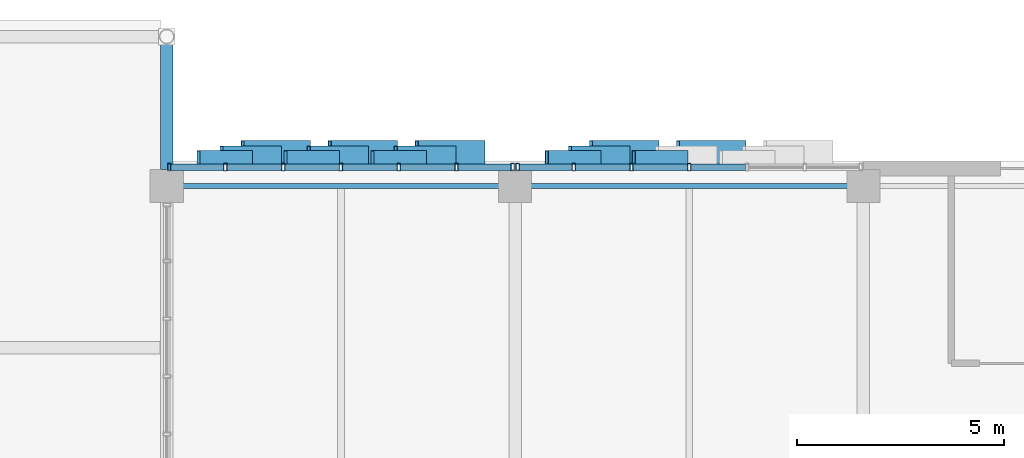
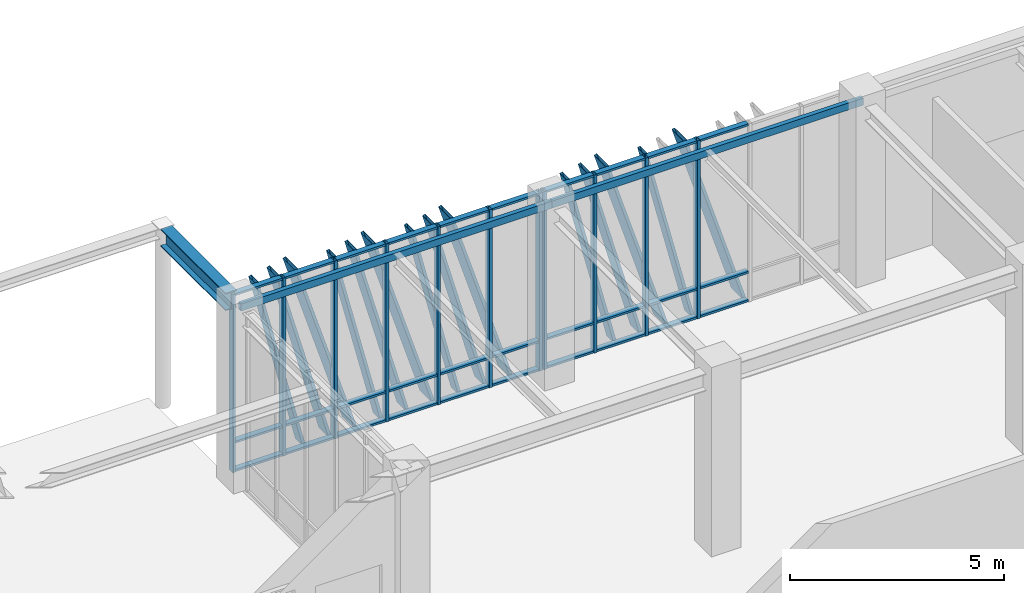
# One storey, part 49 of 122: 55 members, 3 beams, 2 elements without a shape of their own.
"""IFC4 building model written with IfcOpenShell, lengths in metres."""

import ifcopenshell
import ifcopenshell.guid

model = None  # the IFC model being written
_history = None  # IfcOwnerHistory: only IFC2X3 demands one
_inside = {}  # id of a spatial element -> (the spatial element, [elements in it])
_under = {}  # id of a project, library or spatial element -> (it, [spatial elements below it])
_declared = {}  # id of a project -> (the project, [libraries it declares])
_typed = {}  # id of a type object -> (the type object, [elements of that type])
_made_of = {}  # id of a material, layer set ... -> (it, [elements and type objects made of it])


def new_model(schema):
    """Start an empty IFC model of exactly this schema.

    Asked for "IFC4X3", IfcOpenShell would pick the latest addendum, in which some entities
    have other attributes; the version numbers below select the first issue.
    IFC2X3 requires an IfcOwnerHistory on every rooted entity: one is made here for all.
    """
    global model, _history
    if schema == "IFC4X3":
        model = ifcopenshell.file(schema_version=(4, 3, 0, 0))
    else:
        model = ifcopenshell.file(schema=schema)
    _inside.clear()
    _under.clear()
    _declared.clear()
    _typed.clear()
    _made_of.clear()
    _history = None
    if model.schema == "IFC2X3":
        org = make("IfcOrganization", Name="unknown")
        user = make(
            "IfcPersonAndOrganization",
            ThePerson=make("IfcPerson", FamilyName="unknown"),
            TheOrganization=org,
        )
        app = make(
            "IfcApplication",
            ApplicationDeveloper=org,
            Version="unknown",
            ApplicationFullName="unknown",
            ApplicationIdentifier="unknown",
        )
        _history = make(
            "IfcOwnerHistory",
            OwningUser=user,
            OwningApplication=app,
            ChangeAction="ADDED",
            CreationDate=0,
        )
    return model


def make(cls, **values):
    """One entity of the class cls with the attributes given. An attribute that is None is left unset."""
    return model.create_entity(
        cls, **{name: value for name, value in values.items() if value is not None}
    )


def rooted(cls, **values):
    """An entity with a GlobalId (a new one), such as an element, a storey or a relation."""
    return make(cls, GlobalId=ifcopenshell.guid.new(), OwnerHistory=_history, **values)


def si_unit(unit_type, name, prefix=None):
    """IfcSIUnit, for example si_unit("LENGTHUNIT", "METRE", prefix="MILLI")."""
    return make("IfcSIUnit", UnitType=unit_type, Prefix=prefix, Name=name)


def assignment(units):
    """IfcUnitAssignment: the units of a project."""
    return None if units is None else make("IfcUnitAssignment", Units=units)


def point(xyz):
    """IfcCartesianPoint."""
    return None if xyz is None else make("IfcCartesianPoint", Coordinates=xyz)


def direction(xyz):
    """IfcDirection."""
    return None if xyz is None else make("IfcDirection", DirectionRatios=xyz)


def frame(location, z_axis=None, x_axis=None):
    """IfcAxis2Placement3D, a coordinate frame: its origin and axes. An axis left out is left unset."""
    return make(
        "IfcAxis2Placement3D",
        Location=point(location),
        Axis=direction(z_axis),
        RefDirection=direction(x_axis),
    )


def frame_2d(location, x_axis=None):
    """IfcAxis2Placement2D, a coordinate frame in the plane: its origin and x axis."""
    return make(
        "IfcAxis2Placement2D", Location=point(location), RefDirection=direction(x_axis)
    )


def origin():
    """The frame at (0, 0, 0) with its axes left unset."""
    return frame((0.0, 0.0, 0.0))


def origin_2d():
    """The frame at (0, 0) in the plane with its x axis left unset."""
    return frame_2d((0.0, 0.0))


def place(relative_to, where):
    """IfcLocalPlacement: puts the frame where relative to a parent placement (None: the world)."""
    return make(
        "IfcLocalPlacement", PlacementRelTo=relative_to, RelativePlacement=where
    )


def context(
    kind, dimensions, precision=None, world=None, true_north=None, identifier=None
):
    """IfcGeometricRepresentationContext, for example the 3D "Model" context."""
    return make(
        "IfcGeometricRepresentationContext",
        ContextIdentifier=identifier,
        ContextType=kind,
        CoordinateSpaceDimension=dimensions,
        Precision=precision,
        WorldCoordinateSystem=world,
        TrueNorth=true_north,
    )


def subcontext(parent, identifier, kind, view, scale=None):
    """IfcGeometricRepresentationSubContext, for example "Body" below "Model"."""
    return make(
        "IfcGeometricRepresentationSubContext",
        ContextIdentifier=identifier,
        ContextType=kind,
        ParentContext=parent,
        TargetScale=scale,
        TargetView=view,
    )


def project(units=None, contexts=None):
    """IfcProject with its units and contexts."""
    return rooted(
        "IfcProject",
        Name="project",
        RepresentationContexts=contexts,
        UnitsInContext=assignment(units),
    )


def spatial(cls, under=None, at=None, **own):
    """A site, building, storey or space (cls), placed at a placement, below another one or the project."""
    s = rooted(cls, ObjectPlacement=at, **own)
    if under is not None:
        _under.setdefault(under.id(), (under, []))[1].append(s)
    return s


def profile(cls, at=None, kind="AREA", **sizes):
    """A parametric profile (cls). Its sizes go by their IFC names, for example OverallWidth=200.0."""
    return make(cls, ProfileType=kind, Position=at, **sizes)


def hollow_rectangle(**sizes):
    """IfcRectangleHollowProfileDef."""
    return profile("IfcRectangleHollowProfileDef", **sizes)


def i_section(**sizes):
    """IfcIShapeProfileDef."""
    return profile("IfcIShapeProfileDef", **sizes)


def extrude(swept, where, along, depth):
    """IfcExtrudedAreaSolid: the profile swept, set in the frame where, extruded along a direction by depth."""
    return make(
        "IfcExtrudedAreaSolid",
        SweptArea=swept,
        Position=where,
        ExtrudedDirection=direction(along),
        Depth=depth,
    )


def shape(context_of_items, identifier, shape_type, items):
    """IfcShapeRepresentation: the items that make up one representation, for example the "Body"."""
    return make(
        "IfcShapeRepresentation",
        ContextOfItems=context_of_items,
        RepresentationIdentifier=identifier,
        RepresentationType=shape_type,
        Items=items,
    )


def material(Name=None, Category=None):
    """IfcMaterial."""
    return make("IfcMaterial", Name=Name, Category=Category)


def layer(
    of_material, thickness, ventilated=None, Name=None, Category=None, Priority=None
):
    """IfcMaterialLayer: one layer of a wall or slab, of a material (None: an air gap)."""
    return make(
        "IfcMaterialLayer",
        Material=of_material,
        LayerThickness=thickness,
        IsVentilated=ventilated,
        Name=Name,
        Category=Category,
        Priority=Priority,
    )


def layer_set(layers, Name=None):
    """IfcMaterialLayerSet."""
    return make("IfcMaterialLayerSet", MaterialLayers=layers, LayerSetName=Name)


def material_profile(
    of_material, cross_section, Name=None, Category=None, Priority=None
):
    """IfcMaterialProfile: a cross section and its material."""
    return make(
        "IfcMaterialProfile",
        Name=Name,
        Material=of_material,
        Profile=cross_section,
        Priority=Priority,
        Category=Category,
    )


def profile_set(profiles, Name=None, composite=None):
    """IfcMaterialProfileSet."""
    return make(
        "IfcMaterialProfileSet",
        Name=Name,
        MaterialProfiles=profiles,
        CompositeProfile=composite,
    )


def made_of(thing, what):
    """Note that an element or type object is made of a material, layer set ...; save() writes the relation."""
    if what is not None:
        _made_of.setdefault(what.id(), (what, []))[1].append(thing)
    return thing


def type_object(cls, material=None, **own):
    """A type object (cls), such as IfcWallType, which elements share."""
    return made_of(rooted(cls, **own), material)


def element(
    cls,
    number,
    at=None,
    inside=None,
    cuts=None,
    type_object=None,
    material=None,
    context=None,
    identifier="Body",
    shape_type=None,
    held_by="IfcProductDefinitionShape",
    body=None,
    shapes=None,
    **own,
):
    """One element of the class cls, such as IfcWall. Its Tag is "e" and its number.

    at: its placement. inside: the storey or other place that contains it. cuts: it is an
    opening in that element (IfcRelVoidsElement). A single representation is given by context,
    identifier, shape_type and body (its items); several are given by shapes. held_by: the class
    of the entity that holds the representations. save() writes the other relations.
    """
    e = rooted(cls, Tag="e%d" % number, ObjectPlacement=at, **own)
    if body is not None:
        shapes = [shape(context, identifier, shape_type, body)]
    if shapes is not None:
        e.Representation = make(held_by, Representations=shapes)
    if inside is not None:
        _inside.setdefault(inside.id(), (inside, []))[1].append(e)
    if cuts is not None:
        rooted(
            "IfcRelVoidsElement", RelatingBuildingElement=cuts, RelatedOpeningElement=e
        )
    if type_object is not None:
        _typed.setdefault(type_object.id(), (type_object, []))[1].append(e)
    return made_of(e, material)


def aggregate(whole, parts):
    """IfcRelAggregates: a whole, such as a stair, and the parts it consists of."""
    return rooted("IfcRelAggregates", RelatingObject=whole, RelatedObjects=parts)


def save(model, path):
    """Write the relations noted so far, then the file.

    IfcRelAggregates (storeys below a building ...), IfcRelContainedInSpatialStructure (elements
    in a storey), IfcRelDefinesByType, IfcRelAssociatesMaterial and IfcRelDeclares: one each for
    every whole, place, type object, material and project.
    """
    for whole, parts in _under.values():
        aggregate(whole, parts)
    for where, things in _inside.values():
        rooted(
            "IfcRelContainedInSpatialStructure",
            RelatedElements=things,
            RelatingStructure=where,
        )
    for kind, things in _typed.values():
        rooted("IfcRelDefinesByType", RelatedObjects=things, RelatingType=kind)
    for what, things in _made_of.values():
        rooted("IfcRelAssociatesMaterial", RelatedObjects=things, RelatingMaterial=what)
    for by, libraries in _declared.values():
        rooted("IfcRelDeclares", RelatingContext=by, RelatedDefinitions=libraries)
    model.write(path)


model = new_model("IFC4")

# Units and contexts
model_context = context("Model", 3, precision=1e-05, world=origin(), true_north=direction((0.0, 1.0)))
body_context = subcontext(model_context, "Body", "Model", "MODEL_VIEW")
ifc_project = project(units=[si_unit("LENGTHUNIT", "METRE"), si_unit("AREAUNIT", "SQUARE_METRE"), si_unit("VOLUMEUNIT", "CUBIC_METRE"), si_unit("PLANEANGLEUNIT", "RADIAN"), si_unit("MASSUNIT", "GRAM", prefix="KILO")], contexts=[model_context])

# Site, building, storey
site_placement = place(None, origin())
site = spatial("IfcSite", under=ifc_project, at=site_placement, CompositionType="ELEMENT")
building_placement = place(site_placement, origin())
building = spatial("IfcBuilding", under=site, at=building_placement, Name="Zayran Congress Hotel", CompositionType="ELEMENT")
storey_placement = place(building_placement, origin())
storey = spatial("IfcBuildingStorey", under=building, at=storey_placement, Name="L00", CompositionType="ELEMENT", Elevation=0.0)

# Beams
ifc_material_1 = material(Name="Steel S355", Category="steel")
ifc_material_profile_1 = material_profile(ifc_material_1, i_section(OverallWidth=0.300048828125, OverallDepth=0.5, WebThickness=0.014404296875, FlangeThickness=0.028076171875, at=origin_2d()), Name="HEB 500")
ifc_profile_set_1 = profile_set([ifc_material_profile_1], Name="Steel S355")
beam_type_1 = type_object("IfcBeamType", Name="TP-BM-08", PredefinedType="BEAM", material=ifc_profile_set_1)
beam_1_placement = place(storey_placement, frame((58.800048828125, 117.800048828125, 4.909912109375), z_axis=(0.0, 1.0, 0.0), x_axis=(-1.0, 0.0, 0.0)))
element("IfcBeam", 1, at=beam_1_placement, inside=storey, type_object=beam_type_1, Name="BM-NCAN-RIB-4", PredefinedType="BEAM", context=body_context, shape_type="SweptSolid", body=[
    extrude(i_section(OverallWidth=0.300048828125, OverallDepth=0.5, WebThickness=0.014404296875, FlangeThickness=0.028076171875, at=origin_2d()), origin(), (0.0, 0.0, 1.0), 3.0400390625),
])
ifc_material_profile_2 = material_profile(ifc_material_1, hollow_rectangle(XDim=0.1201171875, YDim=0.199951171875, WallThickness=0.008056640625, at=origin_2d()), Name="RHS 200x120x8")
ifc_profile_set_2 = profile_set([ifc_material_profile_2], Name="Steel S355")
beam_type_2 = type_object("IfcBeamType", Name="TP-SP-02", PredefinedType="SPANDREL", material=ifc_profile_set_2)
beam_2_placement = place(storey_placement, frame((58.800048828125, 117.39990234375, 4.97998046875), z_axis=(1.0, 0.0, 0.0), x_axis=(0.0, 1.0, 0.0)))
element("IfcBeam", 2, at=beam_2_placement, inside=storey, type_object=beam_type_2, Name="BM-V1-L00-0441", PredefinedType="SPANDREL", context=body_context, shape_type="SweptSolid", body=[
    extrude(hollow_rectangle(XDim=0.1201171875, YDim=0.199951171875, WallThickness=0.008056640625, at=origin_2d()), origin(), (0.0, 0.0, 1.0), 8.39990234375),
])
beam_3_placement = place(storey_placement, frame((67.199951171875, 117.39990234375, 4.97998046875), z_axis=(1.0, 0.0, 0.0), x_axis=(0.0, 1.0, 0.0)))
element("IfcBeam", 3, at=beam_3_placement, inside=storey, type_object=beam_type_2, Name="BM-V1-L00-0442", PredefinedType="SPANDREL", context=body_context, shape_type="SweptSolid", body=[
    extrude(hollow_rectangle(XDim=0.1201171875, YDim=0.199951171875, WallThickness=0.008056640625, at=origin_2d()), origin(), (0.0, 0.0, 1.0), 8.400146484375),
])

# Curtain wall, members
ifc_material_2 = material(Name="Anodised aluminium and low-E insulated glass", Category="aluminium")
ifc_layer_1 = layer(ifc_material_2, 0.179931640625)
ifc_layer_set_1 = layer_set([ifc_layer_1], Name="Anodised aluminium and low-E insulated glass")
curtain_wall_type_1 = type_object("IfcCurtainWallType", Name="CW-V1N-L00-CW-21-8360-5080", PredefinedType="USERDEFINED", material=ifc_layer_set_1)
curtain_wall_1_placement = place(storey_placement, origin())
curtain_wall_1 = element("IfcCurtainWall", 4, at=curtain_wall_1_placement, inside=storey, type_object=curtain_wall_type_1, Name="CW-V1N-L00-6", ObjectType="CURTAIN WALL", PredefinedType="USERDEFINED")
ifc_material_3 = material(Name="Anodised aluminium framing", Category="aluminium")
ifc_material_profile_3 = material_profile(ifc_material_3, hollow_rectangle(XDim=0.080078125, YDim=0.179931640625, WallThickness=0.0048828125, at=origin_2d()), Name="RHS 180x80x5")
ifc_profile_set_3 = profile_set([ifc_material_profile_3], Name="Anodised aluminium framing")
member_type_1 = type_object("IfcMemberType", Name="TP-CWM-01", PredefinedType="MULLION", material=ifc_profile_set_3)
member_1_placement = place(storey_placement, frame((67.139892578125, 117.85009765625, 0.0), z_axis=(0.0, 0.0, 1.0), x_axis=(1.0, 0.0, 0.0)))
member_1 = element("IfcMember", 5, at=member_1_placement, type_object=member_type_1, Name="CW-V1N-L00-6-M00", PredefinedType="MULLION", context=body_context, shape_type="SweptSolid", body=[
    extrude(hollow_rectangle(XDim=0.080078125, YDim=0.179931640625, WallThickness=0.0048828125, at=origin_2d()), origin(), (0.0, 0.0, 1.0), 5.080078125),
])
member_2_placement = place(storey_placement, frame((65.78662109375, 117.85009765625, 0.0), z_axis=(0.0, 0.0, 1.0), x_axis=(1.0, 0.0, 0.0)))
member_2 = element("IfcMember", 6, at=member_2_placement, type_object=member_type_1, Name="CW-V1N-L00-6-M01", PredefinedType="MULLION", context=body_context, shape_type="SweptSolid", body=[
    extrude(hollow_rectangle(XDim=0.080078125, YDim=0.179931640625, WallThickness=0.0048828125, at=origin_2d()), origin(), (0.0, 0.0, 1.0), 5.080078125),
])
member_3_placement = place(storey_placement, frame((64.393310546875, 117.85009765625, 0.0), z_axis=(0.0, 0.0, 1.0), x_axis=(1.0, 0.0, 0.0)))
member_3 = element("IfcMember", 7, at=member_3_placement, type_object=member_type_1, Name="CW-V1N-L00-6-M02", PredefinedType="MULLION", context=body_context, shape_type="SweptSolid", body=[
    extrude(hollow_rectangle(XDim=0.080078125, YDim=0.179931640625, WallThickness=0.0048828125, at=origin_2d()), origin(), (0.0, 0.0, 1.0), 5.080078125),
])
member_4_placement = place(storey_placement, frame((63.0, 117.85009765625, 0.0), z_axis=(0.0, 0.0, 1.0), x_axis=(1.0, 0.0, 0.0)))
member_4 = element("IfcMember", 8, at=member_4_placement, type_object=member_type_1, Name="CW-V1N-L00-6-M03", PredefinedType="MULLION", context=body_context, shape_type="SweptSolid", body=[
    extrude(hollow_rectangle(XDim=0.080078125, YDim=0.179931640625, WallThickness=0.0048828125, at=origin_2d()), origin(), (0.0, 0.0, 1.0), 5.080078125),
])
member_5_placement = place(storey_placement, frame((61.606689453125, 117.85009765625, 0.0), z_axis=(0.0, 0.0, 1.0), x_axis=(1.0, 0.0, 0.0)))
member_5 = element("IfcMember", 9, at=member_5_placement, type_object=member_type_1, Name="CW-V1N-L00-6-M04", PredefinedType="MULLION", context=body_context, shape_type="SweptSolid", body=[
    extrude(hollow_rectangle(XDim=0.080078125, YDim=0.179931640625, WallThickness=0.0048828125, at=origin_2d()), origin(), (0.0, 0.0, 1.0), 5.080078125),
])
member_6_placement = place(storey_placement, frame((60.21337890625, 117.85009765625, 0.0), z_axis=(0.0, 0.0, 1.0), x_axis=(1.0, 0.0, 0.0)))
member_6 = element("IfcMember", 10, at=member_6_placement, type_object=member_type_1, Name="CW-V1N-L00-6-M05", PredefinedType="MULLION", context=body_context, shape_type="SweptSolid", body=[
    extrude(hollow_rectangle(XDim=0.080078125, YDim=0.179931640625, WallThickness=0.0048828125, at=origin_2d()), origin(), (0.0, 0.0, 1.0), 5.080078125),
])
member_7_placement = place(storey_placement, frame((58.860107421875, 117.85009765625, 0.0), z_axis=(0.0, 0.0, 1.0), x_axis=(1.0, 0.0, 0.0)))
member_7 = element("IfcMember", 11, at=member_7_placement, type_object=member_type_1, Name="CW-V1N-L00-6-M06", PredefinedType="MULLION", context=body_context, shape_type="SweptSolid", body=[
    extrude(hollow_rectangle(XDim=0.080078125, YDim=0.179931640625, WallThickness=0.0048828125, at=origin_2d()), origin(), (0.0, 0.0, 1.0), 5.080078125),
])

ifc_layer_2 = layer(ifc_material_2, 0.179931640625)
ifc_layer_set_2 = layer_set([ifc_layer_2], Name="Anodised aluminium and low-E insulated glass")
curtain_wall_type_2 = type_object("IfcCurtainWallType", Name="CW-V1N-L00-CW-22-8360-5080", PredefinedType="USERDEFINED", material=ifc_layer_set_2)
curtain_wall_2_placement = place(storey_placement, origin())
curtain_wall_2 = element("IfcCurtainWall", 12, at=curtain_wall_2_placement, inside=storey, type_object=curtain_wall_type_2, Name="CW-V1N-L00-7", ObjectType="CURTAIN WALL", PredefinedType="USERDEFINED")
member_8_placement = place(storey_placement, frame((71.39990234375, 117.85009765625, 0.0), z_axis=(0.0, 0.0, 1.0), x_axis=(1.0, 0.0, 0.0)))
member_8 = element("IfcMember", 13, at=member_8_placement, type_object=member_type_1, Name="CW-V1N-L00-7-M03", PredefinedType="MULLION", context=body_context, shape_type="SweptSolid", body=[
    extrude(hollow_rectangle(XDim=0.080078125, YDim=0.179931640625, WallThickness=0.0048828125, at=origin_2d()), origin(), (0.0, 0.0, 1.0), 5.080078125),
])
member_9_placement = place(storey_placement, frame((70.006591796875, 117.85009765625, 0.0), z_axis=(0.0, 0.0, 1.0), x_axis=(1.0, 0.0, 0.0)))
member_9 = element("IfcMember", 14, at=member_9_placement, type_object=member_type_1, Name="CW-V1N-L00-7-M04", PredefinedType="MULLION", context=body_context, shape_type="SweptSolid", body=[
    extrude(hollow_rectangle(XDim=0.080078125, YDim=0.179931640625, WallThickness=0.0048828125, at=origin_2d()), origin(), (0.0, 0.0, 1.0), 5.080078125),
])
member_10_placement = place(storey_placement, frame((68.61328125, 117.85009765625, 0.0), z_axis=(0.0, 0.0, 1.0), x_axis=(1.0, 0.0, 0.0)))
member_10 = element("IfcMember", 15, at=member_10_placement, type_object=member_type_1, Name="CW-V1N-L00-7-M05", PredefinedType="MULLION", context=body_context, shape_type="SweptSolid", body=[
    extrude(hollow_rectangle(XDim=0.080078125, YDim=0.179931640625, WallThickness=0.0048828125, at=origin_2d()), origin(), (0.0, 0.0, 1.0), 5.080078125),
])
member_11_placement = place(storey_placement, frame((67.260009765625, 117.85009765625, 0.0), z_axis=(0.0, 0.0, 1.0), x_axis=(1.0, 0.0, 0.0)))
member_11 = element("IfcMember", 16, at=member_11_placement, type_object=member_type_1, Name="CW-V1N-L00-7-M06", PredefinedType="MULLION", context=body_context, shape_type="SweptSolid", body=[
    extrude(hollow_rectangle(XDim=0.080078125, YDim=0.179931640625, WallThickness=0.0048828125, at=origin_2d()), origin(), (0.0, 0.0, 1.0), 5.080078125),
])

# Member
ifc_material_profile_4 = material_profile(ifc_material_3, hollow_rectangle(XDim=0.06005859375, YDim=0.14990234375, WallThickness=0.00390625, at=origin_2d()), Name="RHS 150x60x4")
ifc_profile_set_4 = profile_set([ifc_material_profile_4], Name="Anodised aluminium framing")
member_type_2 = type_object("IfcMemberType", Name="TP-CWT-01", PredefinedType="USERDEFINED", material=ifc_profile_set_4)
member_12_placement = place(storey_placement, frame((67.10009765625, 117.85009765625, 0.030029296875), z_axis=(-1.0, 0.0, 0.0), x_axis=(0.0, 0.0, 1.0)))
member_12 = element("IfcMember", 17, at=member_12_placement, type_object=member_type_2, Name="CW-V1N-L00-6-T00-0", ObjectType="TRANSOM", PredefinedType="USERDEFINED", context=body_context, shape_type="SweptSolid", body=[
    extrude(hollow_rectangle(XDim=0.06005859375, YDim=0.14990234375, WallThickness=0.00390625, at=origin_2d()), origin(), (0.0, 0.0, 1.0), 1.2734375),
])

member_13_placement = place(storey_placement, frame((67.10009765625, 117.85009765625, 0.840087890625), z_axis=(-1.0, 0.0, 0.0), x_axis=(0.0, 0.0, 1.0)))
member_13 = element("IfcMember", 18, at=member_13_placement, type_object=member_type_2, Name="CW-V1N-L00-6-T00-1", ObjectType="TRANSOM", PredefinedType="USERDEFINED", context=body_context, shape_type="SweptSolid", body=[
    extrude(hollow_rectangle(XDim=0.06005859375, YDim=0.14990234375, WallThickness=0.00390625, at=origin_2d()), origin(), (0.0, 0.0, 1.0), 1.2734375),
])

member_14_placement = place(storey_placement, frame((67.10009765625, 117.85009765625, 5.050048828125), z_axis=(-1.0, 0.0, 0.0), x_axis=(0.0, 0.0, 1.0)))
member_14 = element("IfcMember", 19, at=member_14_placement, type_object=member_type_2, Name="CW-V1N-L00-6-T00-2", ObjectType="TRANSOM", PredefinedType="USERDEFINED", context=body_context, shape_type="SweptSolid", body=[
    extrude(hollow_rectangle(XDim=0.06005859375, YDim=0.14990234375, WallThickness=0.00390625, at=origin_2d()), origin(), (0.0, 0.0, 1.0), 1.2734375),
])

member_15_placement = place(storey_placement, frame((65.74658203125, 117.85009765625, 0.030029296875), z_axis=(-1.0, 0.0, 0.0), x_axis=(0.0, 0.0, 1.0)))
member_15 = element("IfcMember", 20, at=member_15_placement, type_object=member_type_2, Name="CW-V1N-L00-6-T01-0", ObjectType="TRANSOM", PredefinedType="USERDEFINED", context=body_context, shape_type="SweptSolid", body=[
    extrude(hollow_rectangle(XDim=0.06005859375, YDim=0.14990234375, WallThickness=0.00390625, at=origin_2d()), origin(), (0.0, 0.0, 1.0), 1.313232421875),
])

member_16_placement = place(storey_placement, frame((65.74658203125, 117.85009765625, 0.840087890625), z_axis=(-1.0, 0.0, 0.0), x_axis=(0.0, 0.0, 1.0)))
member_16 = element("IfcMember", 21, at=member_16_placement, type_object=member_type_2, Name="CW-V1N-L00-6-T01-1", ObjectType="TRANSOM", PredefinedType="USERDEFINED", context=body_context, shape_type="SweptSolid", body=[
    extrude(hollow_rectangle(XDim=0.06005859375, YDim=0.14990234375, WallThickness=0.00390625, at=origin_2d()), origin(), (0.0, 0.0, 1.0), 1.313232421875),
])

member_17_placement = place(storey_placement, frame((65.74658203125, 117.85009765625, 5.050048828125), z_axis=(-1.0, 0.0, 0.0), x_axis=(0.0, 0.0, 1.0)))
member_17 = element("IfcMember", 22, at=member_17_placement, type_object=member_type_2, Name="CW-V1N-L00-6-T01-2", ObjectType="TRANSOM", PredefinedType="USERDEFINED", context=body_context, shape_type="SweptSolid", body=[
    extrude(hollow_rectangle(XDim=0.06005859375, YDim=0.14990234375, WallThickness=0.00390625, at=origin_2d()), origin(), (0.0, 0.0, 1.0), 1.313232421875),
])

member_18_placement = place(storey_placement, frame((64.353271484375, 117.85009765625, 0.030029296875), z_axis=(-1.0, 0.0, 0.0), x_axis=(0.0, 0.0, 1.0)))
member_18 = element("IfcMember", 23, at=member_18_placement, type_object=member_type_2, Name="CW-V1N-L00-6-T02-0", ObjectType="TRANSOM", PredefinedType="USERDEFINED", context=body_context, shape_type="SweptSolid", body=[
    extrude(hollow_rectangle(XDim=0.06005859375, YDim=0.14990234375, WallThickness=0.00390625, at=origin_2d()), origin(), (0.0, 0.0, 1.0), 1.313232421875),
])

member_19_placement = place(storey_placement, frame((64.353271484375, 117.85009765625, 0.840087890625), z_axis=(-1.0, 0.0, 0.0), x_axis=(0.0, 0.0, 1.0)))
member_19 = element("IfcMember", 24, at=member_19_placement, type_object=member_type_2, Name="CW-V1N-L00-6-T02-1", ObjectType="TRANSOM", PredefinedType="USERDEFINED", context=body_context, shape_type="SweptSolid", body=[
    extrude(hollow_rectangle(XDim=0.06005859375, YDim=0.14990234375, WallThickness=0.00390625, at=origin_2d()), origin(), (0.0, 0.0, 1.0), 1.313232421875),
])

member_20_placement = place(storey_placement, frame((64.353271484375, 117.85009765625, 5.050048828125), z_axis=(-1.0, 0.0, 0.0), x_axis=(0.0, 0.0, 1.0)))
member_20 = element("IfcMember", 25, at=member_20_placement, type_object=member_type_2, Name="CW-V1N-L00-6-T02-2", ObjectType="TRANSOM", PredefinedType="USERDEFINED", context=body_context, shape_type="SweptSolid", body=[
    extrude(hollow_rectangle(XDim=0.06005859375, YDim=0.14990234375, WallThickness=0.00390625, at=origin_2d()), origin(), (0.0, 0.0, 1.0), 1.313232421875),
])

member_21_placement = place(storey_placement, frame((62.9599609375, 117.85009765625, 0.030029296875), z_axis=(-1.0, 0.0, 0.0), x_axis=(0.0, 0.0, 1.0)))
member_21 = element("IfcMember", 26, at=member_21_placement, type_object=member_type_2, Name="CW-V1N-L00-6-T03-0", ObjectType="TRANSOM", PredefinedType="USERDEFINED", context=body_context, shape_type="SweptSolid", body=[
    extrude(hollow_rectangle(XDim=0.06005859375, YDim=0.14990234375, WallThickness=0.00390625, at=origin_2d()), origin(), (0.0, 0.0, 1.0), 1.313232421875),
])

member_22_placement = place(storey_placement, frame((62.9599609375, 117.85009765625, 0.840087890625), z_axis=(-1.0, 0.0, 0.0), x_axis=(0.0, 0.0, 1.0)))
member_22 = element("IfcMember", 27, at=member_22_placement, type_object=member_type_2, Name="CW-V1N-L00-6-T03-1", ObjectType="TRANSOM", PredefinedType="USERDEFINED", context=body_context, shape_type="SweptSolid", body=[
    extrude(hollow_rectangle(XDim=0.06005859375, YDim=0.14990234375, WallThickness=0.00390625, at=origin_2d()), origin(), (0.0, 0.0, 1.0), 1.313232421875),
])

member_23_placement = place(storey_placement, frame((62.9599609375, 117.85009765625, 5.050048828125), z_axis=(-1.0, 0.0, 0.0), x_axis=(0.0, 0.0, 1.0)))
member_23 = element("IfcMember", 28, at=member_23_placement, type_object=member_type_2, Name="CW-V1N-L00-6-T03-2", ObjectType="TRANSOM", PredefinedType="USERDEFINED", context=body_context, shape_type="SweptSolid", body=[
    extrude(hollow_rectangle(XDim=0.06005859375, YDim=0.14990234375, WallThickness=0.00390625, at=origin_2d()), origin(), (0.0, 0.0, 1.0), 1.313232421875),
])

member_24_placement = place(storey_placement, frame((61.566650390625, 117.85009765625, 0.030029296875), z_axis=(-1.0, 0.0, 0.0), x_axis=(0.0, 0.0, 1.0)))
member_24 = element("IfcMember", 29, at=member_24_placement, type_object=member_type_2, Name="CW-V1N-L00-6-T04-0", ObjectType="TRANSOM", PredefinedType="USERDEFINED", context=body_context, shape_type="SweptSolid", body=[
    extrude(hollow_rectangle(XDim=0.06005859375, YDim=0.14990234375, WallThickness=0.00390625, at=origin_2d()), origin(), (0.0, 0.0, 1.0), 1.313232421875),
])

member_25_placement = place(storey_placement, frame((61.566650390625, 117.85009765625, 0.840087890625), z_axis=(-1.0, 0.0, 0.0), x_axis=(0.0, 0.0, 1.0)))
member_25 = element("IfcMember", 30, at=member_25_placement, type_object=member_type_2, Name="CW-V1N-L00-6-T04-1", ObjectType="TRANSOM", PredefinedType="USERDEFINED", context=body_context, shape_type="SweptSolid", body=[
    extrude(hollow_rectangle(XDim=0.06005859375, YDim=0.14990234375, WallThickness=0.00390625, at=origin_2d()), origin(), (0.0, 0.0, 1.0), 1.313232421875),
])

member_26_placement = place(storey_placement, frame((61.566650390625, 117.85009765625, 5.050048828125), z_axis=(-1.0, 0.0, 0.0), x_axis=(0.0, 0.0, 1.0)))
member_26 = element("IfcMember", 31, at=member_26_placement, type_object=member_type_2, Name="CW-V1N-L00-6-T04-2", ObjectType="TRANSOM", PredefinedType="USERDEFINED", context=body_context, shape_type="SweptSolid", body=[
    extrude(hollow_rectangle(XDim=0.06005859375, YDim=0.14990234375, WallThickness=0.00390625, at=origin_2d()), origin(), (0.0, 0.0, 1.0), 1.313232421875),
])

member_27_placement = place(storey_placement, frame((60.17333984375, 117.85009765625, 0.030029296875), z_axis=(-1.0, 0.0, 0.0), x_axis=(0.0, 0.0, 1.0)))
member_27 = element("IfcMember", 32, at=member_27_placement, type_object=member_type_2, Name="CW-V1N-L00-6-T05-0", ObjectType="TRANSOM", PredefinedType="USERDEFINED", context=body_context, shape_type="SweptSolid", body=[
    extrude(hollow_rectangle(XDim=0.06005859375, YDim=0.14990234375, WallThickness=0.00390625, at=origin_2d()), origin(), (0.0, 0.0, 1.0), 1.2734375),
])

member_28_placement = place(storey_placement, frame((60.17333984375, 117.85009765625, 0.840087890625), z_axis=(-1.0, 0.0, 0.0), x_axis=(0.0, 0.0, 1.0)))
member_28 = element("IfcMember", 33, at=member_28_placement, type_object=member_type_2, Name="CW-V1N-L00-6-T05-1", ObjectType="TRANSOM", PredefinedType="USERDEFINED", context=body_context, shape_type="SweptSolid", body=[
    extrude(hollow_rectangle(XDim=0.06005859375, YDim=0.14990234375, WallThickness=0.00390625, at=origin_2d()), origin(), (0.0, 0.0, 1.0), 1.2734375),
])

member_29_placement = place(storey_placement, frame((60.17333984375, 117.85009765625, 5.050048828125), z_axis=(-1.0, 0.0, 0.0), x_axis=(0.0, 0.0, 1.0)))
member_29 = element("IfcMember", 34, at=member_29_placement, type_object=member_type_2, Name="CW-V1N-L00-6-T05-2", ObjectType="TRANSOM", PredefinedType="USERDEFINED", context=body_context, shape_type="SweptSolid", body=[
    extrude(hollow_rectangle(XDim=0.06005859375, YDim=0.14990234375, WallThickness=0.00390625, at=origin_2d()), origin(), (0.0, 0.0, 1.0), 1.2734375),
])

member_30_placement = place(storey_placement, frame((72.75341796875, 117.85009765625, 0.030029296875), z_axis=(-1.0, 0.0, 0.0), x_axis=(0.0, 0.0, 1.0)))
member_30 = element("IfcMember", 35, at=member_30_placement, type_object=member_type_2, Name="CW-V1N-L00-7-T02-0", ObjectType="TRANSOM", PredefinedType="USERDEFINED", context=body_context, shape_type="SweptSolid", body=[
    extrude(hollow_rectangle(XDim=0.06005859375, YDim=0.14990234375, WallThickness=0.00390625, at=origin_2d()), origin(), (0.0, 0.0, 1.0), 1.3134765625),
])

member_31_placement = place(storey_placement, frame((72.75341796875, 117.85009765625, 0.840087890625), z_axis=(-1.0, 0.0, 0.0), x_axis=(0.0, 0.0, 1.0)))
member_31 = element("IfcMember", 36, at=member_31_placement, type_object=member_type_2, Name="CW-V1N-L00-7-T02-1", ObjectType="TRANSOM", PredefinedType="USERDEFINED", context=body_context, shape_type="SweptSolid", body=[
    extrude(hollow_rectangle(XDim=0.06005859375, YDim=0.14990234375, WallThickness=0.00390625, at=origin_2d()), origin(), (0.0, 0.0, 1.0), 1.3134765625),
])

member_32_placement = place(storey_placement, frame((72.75341796875, 117.85009765625, 5.050048828125), z_axis=(-1.0, 0.0, 0.0), x_axis=(0.0, 0.0, 1.0)))
member_32 = element("IfcMember", 37, at=member_32_placement, type_object=member_type_2, Name="CW-V1N-L00-7-T02-2", ObjectType="TRANSOM", PredefinedType="USERDEFINED", context=body_context, shape_type="SweptSolid", body=[
    extrude(hollow_rectangle(XDim=0.06005859375, YDim=0.14990234375, WallThickness=0.00390625, at=origin_2d()), origin(), (0.0, 0.0, 1.0), 1.3134765625),
])

member_33_placement = place(storey_placement, frame((71.360107421875, 117.85009765625, 0.030029296875), z_axis=(-1.0, 0.0, 0.0), x_axis=(0.0, 0.0, 1.0)))
member_33 = element("IfcMember", 38, at=member_33_placement, type_object=member_type_2, Name="CW-V1N-L00-7-T03-0", ObjectType="TRANSOM", PredefinedType="USERDEFINED", context=body_context, shape_type="SweptSolid", body=[
    extrude(hollow_rectangle(XDim=0.06005859375, YDim=0.14990234375, WallThickness=0.00390625, at=origin_2d()), origin(), (0.0, 0.0, 1.0), 1.3134765625),
])

member_34_placement = place(storey_placement, frame((71.360107421875, 117.85009765625, 0.840087890625), z_axis=(-1.0, 0.0, 0.0), x_axis=(0.0, 0.0, 1.0)))
member_34 = element("IfcMember", 39, at=member_34_placement, type_object=member_type_2, Name="CW-V1N-L00-7-T03-1", ObjectType="TRANSOM", PredefinedType="USERDEFINED", context=body_context, shape_type="SweptSolid", body=[
    extrude(hollow_rectangle(XDim=0.06005859375, YDim=0.14990234375, WallThickness=0.00390625, at=origin_2d()), origin(), (0.0, 0.0, 1.0), 1.3134765625),
])

member_35_placement = place(storey_placement, frame((71.360107421875, 117.85009765625, 5.050048828125), z_axis=(-1.0, 0.0, 0.0), x_axis=(0.0, 0.0, 1.0)))
member_35 = element("IfcMember", 40, at=member_35_placement, type_object=member_type_2, Name="CW-V1N-L00-7-T03-2", ObjectType="TRANSOM", PredefinedType="USERDEFINED", context=body_context, shape_type="SweptSolid", body=[
    extrude(hollow_rectangle(XDim=0.06005859375, YDim=0.14990234375, WallThickness=0.00390625, at=origin_2d()), origin(), (0.0, 0.0, 1.0), 1.3134765625),
])

member_36_placement = place(storey_placement, frame((69.966796875, 117.85009765625, 0.030029296875), z_axis=(-1.0, 0.0, 0.0), x_axis=(0.0, 0.0, 1.0)))
member_36 = element("IfcMember", 41, at=member_36_placement, type_object=member_type_2, Name="CW-V1N-L00-7-T04-0", ObjectType="TRANSOM", PredefinedType="USERDEFINED", context=body_context, shape_type="SweptSolid", body=[
    extrude(hollow_rectangle(XDim=0.06005859375, YDim=0.14990234375, WallThickness=0.00390625, at=origin_2d()), origin(), (0.0, 0.0, 1.0), 1.3134765625),
])

member_37_placement = place(storey_placement, frame((69.966796875, 117.85009765625, 0.840087890625), z_axis=(-1.0, 0.0, 0.0), x_axis=(0.0, 0.0, 1.0)))
member_37 = element("IfcMember", 42, at=member_37_placement, type_object=member_type_2, Name="CW-V1N-L00-7-T04-1", ObjectType="TRANSOM", PredefinedType="USERDEFINED", context=body_context, shape_type="SweptSolid", body=[
    extrude(hollow_rectangle(XDim=0.06005859375, YDim=0.14990234375, WallThickness=0.00390625, at=origin_2d()), origin(), (0.0, 0.0, 1.0), 1.3134765625),
])

member_38_placement = place(storey_placement, frame((69.966796875, 117.85009765625, 5.050048828125), z_axis=(-1.0, 0.0, 0.0), x_axis=(0.0, 0.0, 1.0)))
member_38 = element("IfcMember", 43, at=member_38_placement, type_object=member_type_2, Name="CW-V1N-L00-7-T04-2", ObjectType="TRANSOM", PredefinedType="USERDEFINED", context=body_context, shape_type="SweptSolid", body=[
    extrude(hollow_rectangle(XDim=0.06005859375, YDim=0.14990234375, WallThickness=0.00390625, at=origin_2d()), origin(), (0.0, 0.0, 1.0), 1.3134765625),
])

member_39_placement = place(storey_placement, frame((68.5732421875, 117.85009765625, 0.030029296875), z_axis=(-1.0, 0.0, 0.0), x_axis=(0.0, 0.0, 1.0)))
member_39 = element("IfcMember", 44, at=member_39_placement, type_object=member_type_2, Name="CW-V1N-L00-7-T05-0", ObjectType="TRANSOM", PredefinedType="USERDEFINED", context=body_context, shape_type="SweptSolid", body=[
    extrude(hollow_rectangle(XDim=0.06005859375, YDim=0.14990234375, WallThickness=0.00390625, at=origin_2d()), origin(), (0.0, 0.0, 1.0), 1.273193359375),
])

member_40_placement = place(storey_placement, frame((68.5732421875, 117.85009765625, 0.840087890625), z_axis=(-1.0, 0.0, 0.0), x_axis=(0.0, 0.0, 1.0)))
member_40 = element("IfcMember", 45, at=member_40_placement, type_object=member_type_2, Name="CW-V1N-L00-7-T05-1", ObjectType="TRANSOM", PredefinedType="USERDEFINED", context=body_context, shape_type="SweptSolid", body=[
    extrude(hollow_rectangle(XDim=0.06005859375, YDim=0.14990234375, WallThickness=0.00390625, at=origin_2d()), origin(), (0.0, 0.0, 1.0), 1.273193359375),
])

member_41_placement = place(storey_placement, frame((68.5732421875, 117.85009765625, 5.050048828125), z_axis=(-1.0, 0.0, 0.0), x_axis=(0.0, 0.0, 1.0)))
member_41 = element("IfcMember", 46, at=member_41_placement, type_object=member_type_2, Name="CW-V1N-L00-7-T05-2", ObjectType="TRANSOM", PredefinedType="USERDEFINED", context=body_context, shape_type="SweptSolid", body=[
    extrude(hollow_rectangle(XDim=0.06005859375, YDim=0.14990234375, WallThickness=0.00390625, at=origin_2d()), origin(), (0.0, 0.0, 1.0), 1.273193359375),
])

ifc_material_4 = material(Name="Warm bronze anodised aluminium", Category="aluminium")
ifc_material_profile_5 = material_profile(ifc_material_4, hollow_rectangle(XDim=0.080078125, YDim=0.580078125, WallThickness=0.006103515625, at=origin_2d()), Name="RHS 580x80x6")
ifc_profile_set_5 = profile_set([ifc_material_profile_5], Name="Warm bronze anodised aluminium")
member_type_3 = type_object("IfcMemberType", Name="TP-RFN-01", PredefinedType="MULLION", material=ifc_profile_set_5)
member_42_placement = place(storey_placement, frame((66.429931640625, 118.199951171875, 0.0), z_axis=(-0.300675065474, 0.0, 0.953726640606), x_axis=(0.953726640606, 0.0, 0.300675065474)))
member_42 = element("IfcMember", 47, at=member_42_placement, type_object=member_type_3, Name="Slanting Reed Mullion CW-21-01", PredefinedType="MULLION", context=body_context, shape_type="SweptSolid", body=[
    extrude(hollow_rectangle(XDim=0.080078125, YDim=0.580078125, WallThickness=0.006103515625, at=origin_2d()), origin(), (0.0, 0.0, 1.0), 5.32666015625),
])

member_43_placement = place(storey_placement, frame((64.330078125, 118.199951171875, 0.0), z_axis=(-0.300716755525, 0.0, 0.953713496259), x_axis=(0.953713496259, 0.0, 0.300716755525)))
member_43 = element("IfcMember", 48, at=member_43_placement, type_object=member_type_3, Name="Slanting Reed Mullion CW-21-04", PredefinedType="MULLION", context=body_context, shape_type="SweptSolid", body=[
    extrude(hollow_rectangle(XDim=0.080078125, YDim=0.580078125, WallThickness=0.006103515625, at=origin_2d()), origin(), (0.0, 0.0, 1.0), 5.32666015625),
])

member_44_placement = place(storey_placement, frame((62.22998046875, 118.199951171875, 0.0), z_axis=(-0.300675065474, 0.0, 0.953726640606), x_axis=(0.953726640606, 0.0, 0.300675065474)))
member_44 = element("IfcMember", 49, at=member_44_placement, type_object=member_type_3, Name="Slanting Reed Mullion CW-21-07", PredefinedType="MULLION", context=body_context, shape_type="SweptSolid", body=[
    extrude(hollow_rectangle(XDim=0.080078125, YDim=0.580078125, WallThickness=0.006103515625, at=origin_2d()), origin(), (0.0, 0.0, 1.0), 5.32666015625),
])

member_45_placement = place(storey_placement, frame((72.72998046875, 118.199951171875, 0.0), z_axis=(-0.300675065474, 0.0, 0.953726640606), x_axis=(0.953726640606, 0.0, 0.300675065474)))
member_45 = element("IfcMember", 50, at=member_45_placement, type_object=member_type_3, Name="Slanting Reed Mullion CW-22-04", PredefinedType="MULLION", context=body_context, shape_type="SweptSolid", body=[
    extrude(hollow_rectangle(XDim=0.080078125, YDim=0.580078125, WallThickness=0.006103515625, at=origin_2d()), origin(), (0.0, 0.0, 1.0), 5.32666015625),
])

member_46_placement = place(storey_placement, frame((70.6298828125, 118.199951171875, 0.0), z_axis=(-0.300675065474, 0.0, 0.953726640606), x_axis=(0.953726640606, 0.0, 0.300675065474)))
member_46 = element("IfcMember", 51, at=member_46_placement, type_object=member_type_3, Name="Slanting Reed Mullion CW-22-07", PredefinedType="MULLION", context=body_context, shape_type="SweptSolid", body=[
    extrude(hollow_rectangle(XDim=0.080078125, YDim=0.580078125, WallThickness=0.006103515625, at=origin_2d()), origin(), (0.0, 0.0, 1.0), 5.32666015625),
])

ifc_material_profile_6 = material_profile(ifc_material_4, hollow_rectangle(XDim=0.080078125, YDim=0.449951171875, WallThickness=0.006103515625, at=origin_2d()), Name="RHS 450x80x6")
ifc_profile_set_6 = profile_set([ifc_material_profile_6], Name="Warm bronze anodised aluminium")
member_type_4 = type_object("IfcMemberType", Name="TP-RFN-02", PredefinedType="MULLION", material=ifc_profile_set_6)
member_47_placement = place(storey_placement, frame((65.72998046875, 118.135009765625, 0.0), z_axis=(-0.267213902124, 0.0, 0.963637240102), x_axis=(0.963637240102, 0.0, 0.267213902124)))
member_47 = element("IfcMember", 52, at=member_47_placement, type_object=member_type_4, Name="Slanting Reed Mullion CW-21-02", PredefinedType="MULLION", context=body_context, shape_type="SweptSolid", body=[
    extrude(hollow_rectangle(XDim=0.080078125, YDim=0.449951171875, WallThickness=0.006103515625, at=origin_2d()), origin(), (0.0, 0.0, 1.0), 5.271728515625),
])

member_48_placement = place(storey_placement, frame((63.6298828125, 118.135009765625, 0.0), z_axis=(-0.267213902124, 0.0, 0.963637240102), x_axis=(0.963637240102, 0.0, 0.267213902124)))
member_48 = element("IfcMember", 53, at=member_48_placement, type_object=member_type_4, Name="Slanting Reed Mullion CW-21-05", PredefinedType="MULLION", context=body_context, shape_type="SweptSolid", body=[
    extrude(hollow_rectangle(XDim=0.080078125, YDim=0.449951171875, WallThickness=0.006103515625, at=origin_2d()), origin(), (0.0, 0.0, 1.0), 5.271728515625),
])

member_49_placement = place(storey_placement, frame((61.530029296875, 118.135009765625, 0.0), z_axis=(-0.267256905477, 0.0, 0.96362531436), x_axis=(0.96362531436, 0.0, 0.267256905477)))
member_49 = element("IfcMember", 54, at=member_49_placement, type_object=member_type_4, Name="Slanting Reed Mullion CW-21-08", PredefinedType="MULLION", context=body_context, shape_type="SweptSolid", body=[
    extrude(hollow_rectangle(XDim=0.080078125, YDim=0.449951171875, WallThickness=0.006103515625, at=origin_2d()), origin(), (0.0, 0.0, 1.0), 5.271728515625),
])

member_50_placement = place(storey_placement, frame((69.929931640625, 118.135009765625, 0.0), z_axis=(-0.267213902124, 0.0, 0.963637240102), x_axis=(0.963637240102, 0.0, 0.267213902124)))
member_50 = element("IfcMember", 55, at=member_50_placement, type_object=member_type_4, Name="Slanting Reed Mullion CW-22-08", PredefinedType="MULLION", context=body_context, shape_type="SweptSolid", body=[
    extrude(hollow_rectangle(XDim=0.080078125, YDim=0.449951171875, WallThickness=0.006103515625, at=origin_2d()), origin(), (0.0, 0.0, 1.0), 5.271728515625),
])

ifc_material_profile_7 = material_profile(ifc_material_4, hollow_rectangle(XDim=0.080078125, YDim=0.340087890625, WallThickness=0.006103515625, at=origin_2d()), Name="RHS 340x80x6")
ifc_profile_set_7 = profile_set([ifc_material_profile_7], Name="Warm bronze anodised aluminium")
member_type_5 = type_object("IfcMemberType", Name="TP-RFN-03", PredefinedType="MULLION", material=ifc_profile_set_7)
member_51_placement = place(storey_placement, frame((65.030029296875, 118.080078125, 0.0), z_axis=(-0.241921145618, 0.0, 0.970295913267), x_axis=(0.970295913267, 0.0, 0.241921145618)))
member_51 = element("IfcMember", 56, at=member_51_placement, type_object=member_type_5, Name="Slanting Reed Mullion CW-21-03", PredefinedType="MULLION", context=body_context, shape_type="SweptSolid", body=[
    extrude(hollow_rectangle(XDim=0.080078125, YDim=0.340087890625, WallThickness=0.006103515625, at=origin_2d()), origin(), (0.0, 0.0, 1.0), 5.235595703125),
])

member_52_placement = place(storey_placement, frame((62.929931640625, 118.080078125, 0.0), z_axis=(-0.241921145618, 0.0, 0.970295913267), x_axis=(0.970295913267, 0.0, 0.241921145618)))
member_52 = element("IfcMember", 57, at=member_52_placement, type_object=member_type_5, Name="Slanting Reed Mullion CW-21-06", PredefinedType="MULLION", context=body_context, shape_type="SweptSolid", body=[
    extrude(hollow_rectangle(XDim=0.080078125, YDim=0.340087890625, WallThickness=0.006103515625, at=origin_2d()), origin(), (0.0, 0.0, 1.0), 5.235595703125),
])

member_53_placement = place(storey_placement, frame((60.830078125, 118.080078125, 0.0), z_axis=(-0.241921145618, 0.0, 0.970295913267), x_axis=(0.970295913267, 0.0, 0.241921145618)))
member_53 = element("IfcMember", 58, at=member_53_placement, type_object=member_type_5, Name="Slanting Reed Mullion CW-21-09", PredefinedType="MULLION", context=body_context, shape_type="SweptSolid", body=[
    extrude(hollow_rectangle(XDim=0.080078125, YDim=0.340087890625, WallThickness=0.006103515625, at=origin_2d()), origin(), (0.0, 0.0, 1.0), 5.235595703125),
])

aggregate(curtain_wall_1, [member_1, member_2, member_3, member_4, member_5, member_6, member_7, member_12, member_13, member_14, member_15, member_16, member_17, member_18, member_19, member_20, member_21, member_22, member_23, member_24, member_25, member_26, member_27, member_28, member_29, member_42, member_47, member_51, member_43, member_48, member_52, member_44, member_49, member_53])

member_54_placement = place(storey_placement, frame((71.330078125, 118.080078125, 0.0), z_axis=(-0.241921145618, 0.0, 0.970295913267), x_axis=(0.970295913267, 0.0, 0.241921145618)))
member_54 = element("IfcMember", 59, at=member_54_placement, type_object=member_type_5, Name="Slanting Reed Mullion CW-22-06", PredefinedType="MULLION", context=body_context, shape_type="SweptSolid", body=[
    extrude(hollow_rectangle(XDim=0.080078125, YDim=0.340087890625, WallThickness=0.006103515625, at=origin_2d()), origin(), (0.0, 0.0, 1.0), 5.235595703125),
])

member_55_placement = place(storey_placement, frame((69.22998046875, 118.080078125, 0.0), z_axis=(-0.241921145618, 0.0, 0.970295913267), x_axis=(0.970295913267, 0.0, 0.241921145618)))
member_55 = element("IfcMember", 60, at=member_55_placement, type_object=member_type_5, Name="Slanting Reed Mullion CW-22-09", PredefinedType="MULLION", context=body_context, shape_type="SweptSolid", body=[
    extrude(hollow_rectangle(XDim=0.080078125, YDim=0.340087890625, WallThickness=0.006103515625, at=origin_2d()), origin(), (0.0, 0.0, 1.0), 5.235595703125),
])

aggregate(curtain_wall_2, [member_8, member_9, member_10, member_11, member_30, member_31, member_32, member_33, member_34, member_35, member_36, member_37, member_38, member_39, member_40, member_41, member_45, member_54, member_46, member_50, member_55])

save(model, "model.ifc")
